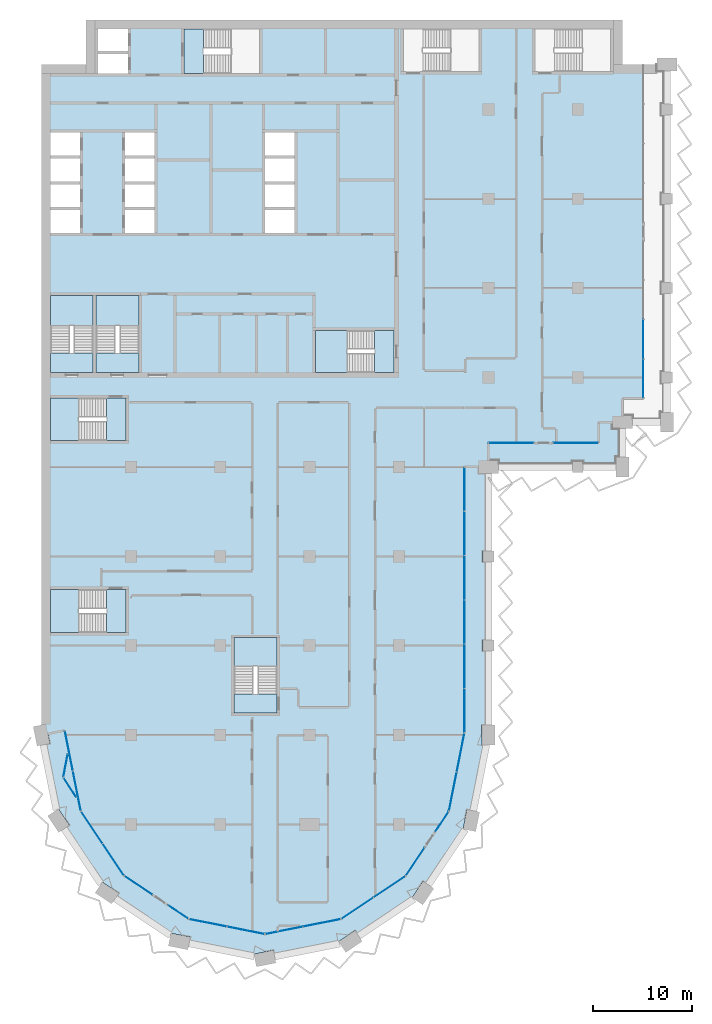
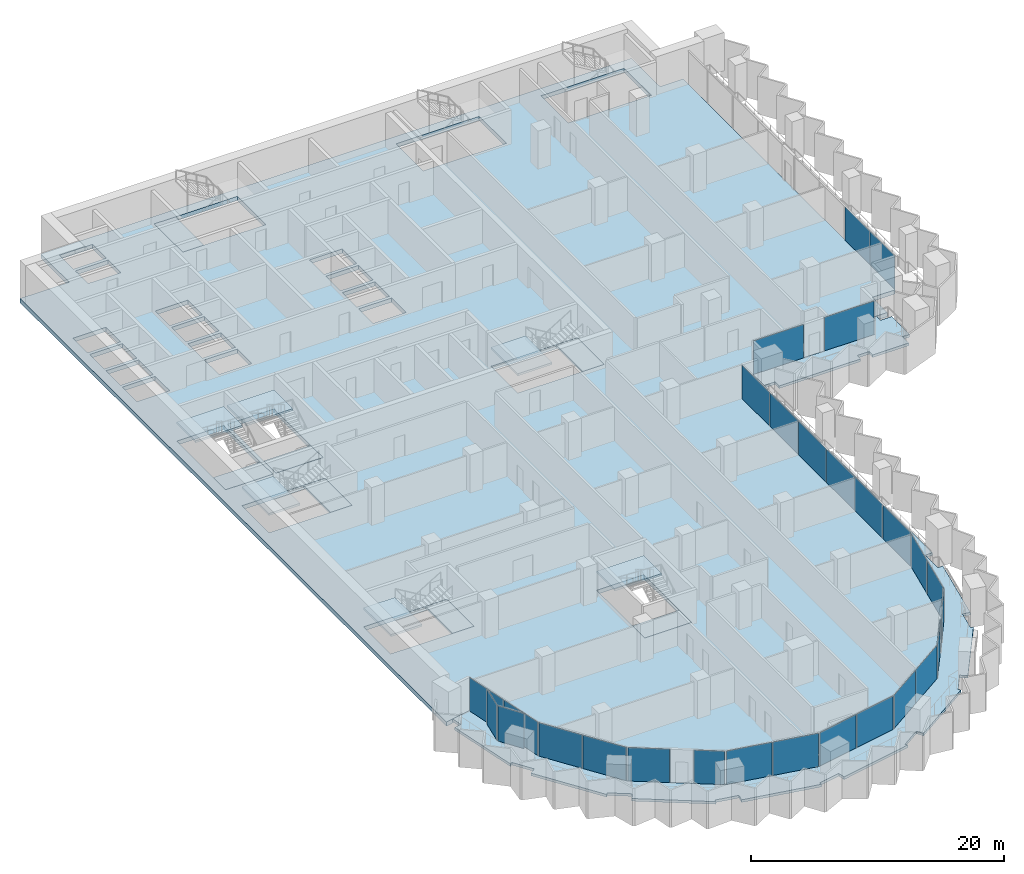
# One storey, part 8 of 23: 28 plates, 16 slabs, 22 elements without a shape of their own.
"""IFC4 building model written with IfcOpenShell, lengths in metres."""

from ifc_helpers import new_model, si_unit, direction, frame, origin, origin_2d, place, context, subcontext, project, spatial, polyline, rectangle, outline, extrude, material, layer, layer_set, type_object, element, aggregate, save


model = new_model("IFC4")

# Units and contexts
model_context = context("Model", 3, precision=1e-05, world=origin(), true_north=direction((0.0, 1.0)))
body_context = subcontext(model_context, "Body", "Model", "MODEL_VIEW")
ifc_project = project(units=[si_unit("LENGTHUNIT", "METRE"), si_unit("AREAUNIT", "SQUARE_METRE"), si_unit("VOLUMEUNIT", "CUBIC_METRE"), si_unit("PLANEANGLEUNIT", "RADIAN"), si_unit("MASSUNIT", "GRAM", prefix="KILO")], contexts=[model_context])

# Site, building, storey
site_placement = place(None, origin())
site = spatial("IfcSite", under=ifc_project, at=site_placement, CompositionType="ELEMENT")
building_placement = place(site_placement, origin())
building = spatial("IfcBuilding", under=site, at=building_placement, Name="Hunhe Ridgeline Campus", CompositionType="ELEMENT")
storey_placement = place(building_placement, frame((0.0, 0.0, 170.800048828125)))
storey = spatial("IfcBuildingStorey", under=building, at=storey_placement, Name="L43", CompositionType="ELEMENT", Elevation=170.800048828125)

# Curtain wall, plates
ifc_material_1 = material(Name="Aluminium 6063", Category="aluminium")
curtain_wall_type_1 = type_object("IfcCurtainWallType", Name="Curtain wall CW-5", PredefinedType="NOTDEFINED", material=ifc_material_1)
curtain_wall_1_placement = place(storey_placement, origin())
curtain_wall_1 = element("IfcCurtainWall", 1, at=curtain_wall_1_placement, inside=storey, type_object=curtain_wall_type_1, Name="Curtain wall 01", PredefinedType="NOTDEFINED")
ifc_material_2 = material(Name="Low-e laminated glass", Category="glass")
ifc_layer_1 = layer(ifc_material_2, 0.028076171875)
ifc_layer_set_1 = layer_set([ifc_layer_1], Name="Curtain wall glass panel 28 low-e laminated")
plate_type = type_object("IfcPlateType", Name="Curtain wall glass panel 28 low-e laminated", PredefinedType="CURTAIN_PANEL", material=ifc_layer_set_1)
plate_1_placement = place(storey_placement, frame((2.76318359375, 25.416015625, 0.0), z_axis=(0.0, 0.0, 1.0), x_axis=(0.195095347137, -0.980784280831, 0.0)))
plate_1 = element("IfcPlate", 2, at=plate_1_placement, type_object=plate_type, Name="CW-5 panel 1", PredefinedType="CURTAIN_PANEL", context=body_context, shape_type="SweptSolid", body=[
    extrude(rectangle(XDim=4.0458984375, YDim=0.028076171875, at=origin_2d()), origin(), (0.0, 0.0, 1.0), 3.22998046875),
])
plate_2_placement = place(storey_placement, frame((3.566162109375, 21.379150390625, 0.0), z_axis=(0.0, 0.0, 1.0), x_axis=(0.195095347137, -0.980784280831, 0.0)))
plate_2 = element("IfcPlate", 3, at=plate_2_placement, type_object=plate_type, Name="CW-5 panel 2", PredefinedType="CURTAIN_PANEL", context=body_context, shape_type="SweptSolid", body=[
    extrude(rectangle(XDim=4.0458984375, YDim=0.028076171875, at=origin_2d()), origin(), (0.0, 0.0, 1.0), 3.22998046875),
])
aggregate(curtain_wall_1, [plate_1, plate_2])

# Curtain wall, plate
curtain_wall_type_2 = type_object("IfcCurtainWallType", Name="Curtain wall CW-2", PredefinedType="NOTDEFINED", material=ifc_material_1)
curtain_wall_2_placement = place(storey_placement, origin())
curtain_wall_2 = element("IfcCurtainWall", 4, at=curtain_wall_2_placement, inside=storey, type_object=curtain_wall_type_2, Name="Curtain wall B01a", PredefinedType="NOTDEFINED")
plate_3_placement = place(storey_placement, frame((2.4248046875, 23.938720703125, 0.0), z_axis=(0.0, 0.0, 1.0), x_axis=(-0.183112559813, -0.983091954213, 0.0)))
plate_3 = element("IfcPlate", 5, at=plate_3_placement, type_object=plate_type, Name="CW-2 panel 1", PredefinedType="CURTAIN_PANEL", context=body_context, shape_type="SweptSolid", body=[
    extrude(rectangle(XDim=2.30322265625, YDim=0.028076171875, at=origin_2d()), origin(), (0.0, 0.0, 1.0), 3.389892578125),
])
aggregate(curtain_wall_2, [plate_3])

curtain_wall_3_placement = place(storey_placement, origin())
curtain_wall_3 = element("IfcCurtainWall", 6, at=curtain_wall_3_placement, inside=storey, type_object=curtain_wall_type_2, Name="Curtain wall B01b", PredefinedType="NOTDEFINED")
plate_4_placement = place(storey_placement, frame((2.86376953125, 21.73193359375, 0.0), z_axis=(0.0, 0.0, 1.0), x_axis=(0.545395474403, -0.838178845176, 0.0)))
plate_4 = element("IfcPlate", 7, at=plate_4_placement, type_object=plate_type, Name="CW-2 panel 1", PredefinedType="CURTAIN_PANEL", context=body_context, shape_type="SweptSolid", body=[
    extrude(rectangle(XDim=2.30322265625, YDim=0.028076171875, at=origin_2d()), origin(), (0.0, 0.0, 1.0), 3.389892578125),
])
aggregate(curtain_wall_3, [plate_4])

# Curtain wall, plates
curtain_wall_4_placement = place(storey_placement, origin())
curtain_wall_4 = element("IfcCurtainWall", 8, at=curtain_wall_4_placement, inside=storey, type_object=curtain_wall_type_1, Name="Curtain wall 02", PredefinedType="NOTDEFINED")
plate_5_placement = place(storey_placement, frame((5.07080078125, 17.685546875, 0.0), z_axis=(0.0, 0.0, 1.0), x_axis=(0.555570274596, -0.831469584522, 0.0)))
plate_5 = element("IfcPlate", 9, at=plate_5_placement, type_object=plate_type, Name="CW-5 panel 1", PredefinedType="CURTAIN_PANEL", context=body_context, shape_type="SweptSolid", body=[
    extrude(rectangle(XDim=3.806884765625, YDim=0.028076171875, at=origin_2d()), origin(), (0.0, 0.0, 1.0), 3.22998046875),
])
plate_6_placement = place(storey_placement, frame((7.224609375, 14.4619140625, 0.0), z_axis=(0.0, 0.0, 1.0), x_axis=(0.555570274596, -0.831469584522, 0.0)))
plate_6 = element("IfcPlate", 10, at=plate_6_placement, type_object=plate_type, Name="CW-5 panel 2", PredefinedType="CURTAIN_PANEL", context=body_context, shape_type="SweptSolid", body=[
    extrude(rectangle(XDim=3.806884765625, YDim=0.028076171875, at=origin_2d()), origin(), (0.0, 0.0, 1.0), 3.22998046875),
])
aggregate(curtain_wall_4, [plate_5, plate_6])

# Curtain wall, plate
curtain_wall_5_placement = place(storey_placement, origin())
curtain_wall_5 = element("IfcCurtainWall", 11, at=curtain_wall_5_placement, inside=storey, type_object=curtain_wall_type_1, Name="Curtain wall 03", PredefinedType="NOTDEFINED")
plate_7_placement = place(storey_placement, frame((9.76025390625, 11.859375, 0.0), z_axis=(0.0, 0.0, 1.0), x_axis=(0.831469595944, -0.555570257501, 0.0)))
plate_7 = element("IfcPlate", 12, at=plate_7_placement, type_object=plate_type, Name="CW-5 panel 1", PredefinedType="CURTAIN_PANEL", context=body_context, shape_type="SweptSolid", body=[
    extrude(rectangle(XDim=3.322021484375, YDim=0.028076171875, at=origin_2d()), origin(), (0.0, 0.0, 1.0), 3.22998046875),
])
aggregate(curtain_wall_5, [plate_7])

curtain_wall_6_placement = place(storey_placement, origin())
curtain_wall_6 = element("IfcCurtainWall", 13, at=curtain_wall_6_placement, inside=storey, type_object=curtain_wall_type_1, Name="Curtain wall 04", PredefinedType="NOTDEFINED")
plate_8_placement = place(storey_placement, frame((13.761474609375, 9.18603515625, 0.0), z_axis=(0.0, 0.0, 1.0), x_axis=(0.831469510353, -0.555570385598, 0.0)))
plate_8 = element("IfcPlate", 14, at=plate_8_placement, type_object=plate_type, Name="CW-5 panel 1", PredefinedType="CURTAIN_PANEL", context=body_context, shape_type="SweptSolid", body=[
    extrude(rectangle(XDim=2.421875, YDim=0.028076171875, at=origin_2d()), origin(), (0.0, 0.0, 1.0), 3.22998046875),
])
aggregate(curtain_wall_6, [plate_8])

# Curtain wall, plates
curtain_wall_7_placement = place(storey_placement, origin())
curtain_wall_7 = element("IfcCurtainWall", 15, at=curtain_wall_7_placement, inside=storey, type_object=curtain_wall_type_1, Name="Curtain wall 05", PredefinedType="NOTDEFINED")
plate_9_placement = place(storey_placement, frame((16.761962890625, 8.08935546875, 0.0), z_axis=(0.0, 0.0, 1.0), x_axis=(0.980785275326, -0.195090347539, 0.0)))
plate_9 = element("IfcPlate", 16, at=plate_9_placement, type_object=plate_type, Name="CW-5 panel 1", PredefinedType="CURTAIN_PANEL", context=body_context, shape_type="SweptSolid", body=[
    extrude(rectangle(XDim=3.806884765625, YDim=0.028076171875, at=origin_2d()), origin(), (0.0, 0.0, 1.0), 3.22998046875),
])
plate_10_placement = place(storey_placement, frame((20.564453125, 7.3330078125, 0.0), z_axis=(0.0, 0.0, 1.0), x_axis=(0.980785275326, -0.195090347539, 0.0)))
plate_10 = element("IfcPlate", 17, at=plate_10_placement, type_object=plate_type, Name="CW-5 panel 2", PredefinedType="CURTAIN_PANEL", context=body_context, shape_type="SweptSolid", body=[
    extrude(rectangle(XDim=3.806884765625, YDim=0.028076171875, at=origin_2d()), origin(), (0.0, 0.0, 1.0), 3.22998046875),
])
aggregate(curtain_wall_7, [plate_9, plate_10])

curtain_wall_8_placement = place(storey_placement, origin())
curtain_wall_8 = element("IfcCurtainWall", 18, at=curtain_wall_8_placement, inside=storey, type_object=curtain_wall_type_1, Name="Curtain wall 06", PredefinedType="NOTDEFINED")
plate_11_placement = place(storey_placement, frame((24.435546875, 7.3330078125, 0.0), z_axis=(0.0, 0.0, 1.0), x_axis=(0.980785275326, 0.195090347539, 0.0)))
plate_11 = element("IfcPlate", 19, at=plate_11_placement, type_object=plate_type, Name="CW-5 panel 1", PredefinedType="CURTAIN_PANEL", context=body_context, shape_type="SweptSolid", body=[
    extrude(rectangle(XDim=3.806884765625, YDim=0.028076171875, at=origin_2d()), origin(), (0.0, 0.0, 1.0), 3.22998046875),
])
plate_12_placement = place(storey_placement, frame((28.238037109375, 8.08935546875, 0.0), z_axis=(0.0, 0.0, 1.0), x_axis=(0.980785275326, 0.195090347539, 0.0)))
plate_12 = element("IfcPlate", 20, at=plate_12_placement, type_object=plate_type, Name="CW-5 panel 2", PredefinedType="CURTAIN_PANEL", context=body_context, shape_type="SweptSolid", body=[
    extrude(rectangle(XDim=3.806884765625, YDim=0.028076171875, at=origin_2d()), origin(), (0.0, 0.0, 1.0), 3.22998046875),
])
aggregate(curtain_wall_8, [plate_11, plate_12])

curtain_wall_9_placement = place(storey_placement, origin())
curtain_wall_9 = element("IfcCurtainWall", 21, at=curtain_wall_9_placement, inside=storey, type_object=curtain_wall_type_1, Name="Curtain wall 07", PredefinedType="NOTDEFINED")
plate_13_placement = place(storey_placement, frame((31.814453125, 9.57080078125, 0.0), z_axis=(0.0, 0.0, 1.0), x_axis=(0.831469584522, 0.555570274596, 0.0)))
plate_13 = element("IfcPlate", 22, at=plate_13_placement, type_object=plate_type, Name="CW-5 panel 1", PredefinedType="CURTAIN_PANEL", context=body_context, shape_type="SweptSolid", body=[
    extrude(rectangle(XDim=3.806884765625, YDim=0.028076171875, at=origin_2d()), origin(), (0.0, 0.0, 1.0), 3.22998046875),
])
plate_14_placement = place(storey_placement, frame((35.0380859375, 11.724609375, 0.0), z_axis=(0.0, 0.0, 1.0), x_axis=(0.831469584522, 0.555570274596, 0.0)))
plate_14 = element("IfcPlate", 23, at=plate_14_placement, type_object=plate_type, Name="CW-5 panel 2", PredefinedType="CURTAIN_PANEL", context=body_context, shape_type="SweptSolid", body=[
    extrude(rectangle(XDim=3.806884765625, YDim=0.028076171875, at=origin_2d()), origin(), (0.0, 0.0, 1.0), 3.22998046875),
])
aggregate(curtain_wall_9, [plate_13, plate_14])

# Curtain wall, plate
curtain_wall_10_placement = place(storey_placement, origin())
curtain_wall_10 = element("IfcCurtainWall", 24, at=curtain_wall_10_placement, inside=storey, type_object=curtain_wall_type_1, Name="Curtain wall 08", PredefinedType="NOTDEFINED")
plate_15_placement = place(storey_placement, frame((37.640625, 14.26025390625, 0.0), z_axis=(0.0, 0.0, 1.0), x_axis=(0.555570257501, 0.831469595944, 0.0)))
plate_15 = element("IfcPlate", 25, at=plate_15_placement, type_object=plate_type, Name="CW-5 panel 1", PredefinedType="CURTAIN_PANEL", context=body_context, shape_type="SweptSolid", body=[
    extrude(rectangle(XDim=3.322021484375, YDim=0.028076171875, at=origin_2d()), origin(), (0.0, 0.0, 1.0), 3.22998046875),
])
aggregate(curtain_wall_10, [plate_15])

curtain_wall_11_placement = place(storey_placement, origin())
curtain_wall_11 = element("IfcCurtainWall", 26, at=curtain_wall_11_placement, inside=storey, type_object=curtain_wall_type_1, Name="Curtain wall 09", PredefinedType="NOTDEFINED")
plate_16_placement = place(storey_placement, frame((40.31396484375, 18.261474609375, 0.0), z_axis=(0.0, 0.0, 1.0), x_axis=(0.555570385598, 0.831469510353, 0.0)))
plate_16 = element("IfcPlate", 27, at=plate_16_placement, type_object=plate_type, Name="CW-5 panel 1", PredefinedType="CURTAIN_PANEL", context=body_context, shape_type="SweptSolid", body=[
    extrude(rectangle(XDim=2.421875, YDim=0.028076171875, at=origin_2d()), origin(), (0.0, 0.0, 1.0), 3.22998046875),
])
aggregate(curtain_wall_11, [plate_16])

# Curtain wall, plates
curtain_wall_12_placement = place(storey_placement, origin())
curtain_wall_12 = element("IfcCurtainWall", 28, at=curtain_wall_12_placement, inside=storey, type_object=curtain_wall_type_1, Name="Curtain wall 10", PredefinedType="NOTDEFINED")
plate_17_placement = place(storey_placement, frame((41.42236328125, 21.321044921875, 0.0), z_axis=(0.0, 0.0, 1.0), x_axis=(0.195090299215, 0.980785284939, 0.0)))
plate_17 = element("IfcPlate", 29, at=plate_17_placement, type_object=plate_type, Name="CW-5 panel 1", PredefinedType="CURTAIN_PANEL", context=body_context, shape_type="SweptSolid", body=[
    extrude(rectangle(XDim=3.927490234375, YDim=0.028076171875, at=origin_2d()), origin(), (0.0, 0.0, 1.0), 3.22998046875),
])
plate_18_placement = place(storey_placement, frame((42.2021484375, 25.24169921875, 0.0), z_axis=(0.0, 0.0, 1.0), x_axis=(0.195090299215, 0.980785284939, 0.0)))
plate_18 = element("IfcPlate", 30, at=plate_18_placement, type_object=plate_type, Name="CW-5 panel 2", PredefinedType="CURTAIN_PANEL", context=body_context, shape_type="SweptSolid", body=[
    extrude(rectangle(XDim=3.927490234375, YDim=0.028076171875, at=origin_2d()), origin(), (0.0, 0.0, 1.0), 3.22998046875),
])
aggregate(curtain_wall_12, [plate_17, plate_18])

curtain_wall_type_3 = type_object("IfcCurtainWallType", Name="Curtain wall CW-1", PredefinedType="NOTDEFINED", material=ifc_material_1)
curtain_wall_13_placement = place(storey_placement, origin())
curtain_wall_13 = element("IfcCurtainWall", 31, at=curtain_wall_13_placement, inside=storey, type_object=curtain_wall_type_3, Name="Curtain wall 11", PredefinedType="NOTDEFINED")
plate_19_placement = place(storey_placement, frame((42.59912109375, 29.481689453125, 0.0), z_axis=(0.0, 0.0, 1.0), x_axis=(4.408911e-06, 0.99999999999, 0.0)))
plate_19 = element("IfcPlate", 32, at=plate_19_placement, type_object=plate_type, Name="CW-1 panel 1", PredefinedType="CURTAIN_PANEL", context=body_context, shape_type="SweptSolid", body=[
    extrude(rectangle(XDim=4.37060546875, YDim=0.028076171875, at=origin_2d()), origin(), (0.0, 0.0, 1.0), 3.239990234375),
])
plate_20_placement = place(storey_placement, frame((42.59912109375, 33.927490234375, 0.0), z_axis=(0.0, 0.0, 1.0), x_axis=(4.408911e-06, 0.99999999999, 0.0)))
plate_20 = element("IfcPlate", 33, at=plate_20_placement, type_object=plate_type, Name="CW-1 panel 2", PredefinedType="CURTAIN_PANEL", context=body_context, shape_type="SweptSolid", body=[
    extrude(rectangle(XDim=4.400634765625, YDim=0.028076171875, at=origin_2d()), origin(), (0.0, 0.0, 1.0), 3.239990234375),
])
plate_21_placement = place(storey_placement, frame((42.59912109375, 38.38818359375, 0.0), z_axis=(0.0, 0.0, 1.0), x_axis=(4.408911e-06, 0.99999999999, 0.0)))
plate_21 = element("IfcPlate", 34, at=plate_21_placement, type_object=plate_type, Name="CW-1 panel 3", PredefinedType="CURTAIN_PANEL", context=body_context, shape_type="SweptSolid", body=[
    extrude(rectangle(XDim=4.400634765625, YDim=0.028076171875, at=origin_2d()), origin(), (0.0, 0.0, 1.0), 3.239990234375),
])
plate_22_placement = place(storey_placement, frame((42.59912109375, 42.848876953125, 0.0), z_axis=(0.0, 0.0, 1.0), x_axis=(4.408911e-06, 0.99999999999, 0.0)))
plate_22 = element("IfcPlate", 35, at=plate_22_placement, type_object=plate_type, Name="CW-1 panel 4", PredefinedType="CURTAIN_PANEL", context=body_context, shape_type="SweptSolid", body=[
    extrude(rectangle(XDim=4.400634765625, YDim=0.028076171875, at=origin_2d()), origin(), (0.0, 0.0, 1.0), 3.239990234375),
])
plate_23_placement = place(storey_placement, frame((42.59912109375, 47.3095703125, 0.0), z_axis=(0.0, 0.0, 1.0), x_axis=(4.408911e-06, 0.99999999999, 0.0)))
plate_23 = element("IfcPlate", 36, at=plate_23_placement, type_object=plate_type, Name="CW-1 panel 5", PredefinedType="CURTAIN_PANEL", context=body_context, shape_type="SweptSolid", body=[
    extrude(rectangle(XDim=4.400634765625, YDim=0.028076171875, at=origin_2d()), origin(), (0.0, 0.0, 1.0), 3.239990234375),
])
plate_24_placement = place(storey_placement, frame((42.59912109375, 51.755126953125, 0.0), z_axis=(0.0, 0.0, 1.0), x_axis=(4.408911e-06, 0.99999999999, 0.0)))
plate_24 = element("IfcPlate", 37, at=plate_24_placement, type_object=plate_type, Name="CW-1 panel 6", PredefinedType="CURTAIN_PANEL", context=body_context, shape_type="SweptSolid", body=[
    extrude(rectangle(XDim=4.37060546875, YDim=0.028076171875, at=origin_2d()), origin(), (0.0, 0.0, 1.0), 3.239990234375),
])
aggregate(curtain_wall_13, [plate_19, plate_20, plate_21, plate_22, plate_23, plate_24])

# Curtain wall, plate
curtain_wall_14_placement = place(storey_placement, origin())
curtain_wall_14 = element("IfcCurtainWall", 38, at=curtain_wall_14_placement, inside=storey, type_object=curtain_wall_type_3, Name="Curtain wall 12", PredefinedType="NOTDEFINED")
plate_25_placement = place(storey_placement, frame((47.32470703125, 56.40087890625, 0.0), z_axis=(0.0, 0.0, 1.0), x_axis=(0.999999999999, 1.72058e-06, 0.0)))
plate_25 = element("IfcPlate", 39, at=plate_25_placement, type_object=plate_type, Name="CW-1 panel 1", PredefinedType="CURTAIN_PANEL", context=body_context, shape_type="SweptSolid", body=[
    extrude(rectangle(XDim=4.529541015625, YDim=0.028076171875, at=origin_2d()), origin(), (0.0, 0.0, 1.0), 3.239990234375),
])
aggregate(curtain_wall_14, [plate_25])

curtain_wall_15_placement = place(storey_placement, origin())
curtain_wall_15 = element("IfcCurtainWall", 40, at=curtain_wall_15_placement, inside=storey, type_object=curtain_wall_type_3, Name="Curtain wall 13", PredefinedType="NOTDEFINED")
plate_26_placement = place(storey_placement, frame((53.774169921875, 56.40087890625, 0.0), z_axis=(0.0, 0.0, 1.0), x_axis=(0.999999999999, 1.72058e-06, 0.0)))
plate_26 = element("IfcPlate", 41, at=plate_26_placement, type_object=plate_type, Name="CW-1 panel 1", PredefinedType="CURTAIN_PANEL", context=body_context, shape_type="SweptSolid", body=[
    extrude(rectangle(XDim=4.529541015625, YDim=0.028076171875, at=origin_2d()), origin(), (0.0, 0.0, 1.0), 3.239990234375),
])
aggregate(curtain_wall_15, [plate_26])

# Curtain wall, plates
curtain_wall_16_placement = place(storey_placement, origin())
curtain_wall_16 = element("IfcCurtainWall", 42, at=curtain_wall_16_placement, inside=storey, type_object=curtain_wall_type_3, Name="Curtain wall 14", PredefinedType="NOTDEFINED")
plate_27_placement = place(storey_placement, frame((60.59912109375, 62.9033203125, 0.0), z_axis=(0.0, 0.0, 1.0), x_axis=(0.0, 1.0, 0.0)))
plate_27 = element("IfcPlate", 43, at=plate_27_placement, type_object=plate_type, Name="CW-1 panel 1", PredefinedType="CURTAIN_PANEL", context=body_context, shape_type="SweptSolid", body=[
    extrude(rectangle(XDim=3.884765625, YDim=0.028076171875, at=origin_2d()), origin(), (0.0, 0.0, 1.0), 3.239990234375),
])
plate_28_placement = place(storey_placement, frame((60.59912109375, 66.86328125, 0.0), z_axis=(0.0, 0.0, 1.0), x_axis=(0.0, 1.0, 0.0)))
plate_28 = element("IfcPlate", 44, at=plate_28_placement, type_object=plate_type, Name="CW-1 panel 2", PredefinedType="CURTAIN_PANEL", context=body_context, shape_type="SweptSolid", body=[
    extrude(rectangle(XDim=3.914794921875, YDim=0.028076171875, at=origin_2d()), origin(), (0.0, 0.0, 1.0), 3.239990234375),
])
aggregate(curtain_wall_16, [plate_27, plate_28])

# Slabs
ifc_material_3 = material(Name="Concrete C40", Category="concrete")
ifc_layer_2 = layer(ifc_material_3, 0.39990234375)
ifc_layer_set_2 = layer_set([ifc_layer_2], Name="Floor slab 400 Concrete C40")
slab_type_1 = type_object("IfcSlabType", Name="Floor slab 400 Concrete C40", PredefinedType="FLOOR", material=ifc_layer_set_2)
slab_1_placement = place(storey_placement, frame((0.0, 0.0, -0.400146484375)))
element("IfcSlab", 45, at=slab_1_placement, inside=storey, type_object=slab_type_1, Name="Floor slab L43 1", PredefinedType="FLOOR", context=body_context, shape_type="SweptSolid", body=[
    extrude(outline(polyline([(2.354736328125, 27.46875), (3.974365234375, 19.326416015625), (8.321044921875, 12.821044921875), (14.826416015625, 8.474365234375), (22.5, 6.947998046875), (30.173583984375, 8.474365234375), (36.678955078125, 12.821044921875), (41.025634765625, 19.326416015625), (42.59912109375, 27.236572265625), (42.59912109375, 54.00048828125), (44.9990234375, 54.0009765625), (44.999755859375, 56.40087890625), (56.09912109375, 56.40087890625), (56.099365234375, 58.500732421875), (58.4990234375, 58.5009765625), (58.499267578125, 60.900634765625), (60.59912109375, 60.90087890625), (60.59912109375, 94.5), (58.5, 94.5), (58.5, 99.0), (4.5, 99.0), (4.5, 94.5), (0.0, 94.5), (0.0, 27.0009765625), (2.354736328125, 27.46875)]), holes=[polyline([(49.699951171875, 93.800048828125), (57.300048828125, 93.800048828125), (57.300048828125, 98.10009765625), (49.699951171875, 98.10009765625), (49.699951171875, 93.800048828125)]), polyline([(44.050048828125, 93.800048828125), (44.050048828125, 98.10009765625), (36.449951171875, 98.10009765625), (36.449951171875, 93.800048828125), (44.050048828125, 93.800048828125)]), polyline([(35.5, 67.75), (27.60009765625, 67.75), (27.60009765625, 63.5), (35.5, 63.5), (35.5, 67.75)]), polyline([(25.5, 82.75), (25.5, 85.050048828125), (22.5, 85.050048828125), (22.5, 82.75), (25.5, 82.75)]), polyline([(25.5, 82.449951171875), (22.5, 82.449951171875), (22.5, 80.14990234375), (25.5, 80.14990234375), (25.5, 82.449951171875)]), polyline([(22.5, 85.35009765625), (25.5, 85.35009765625), (25.5, 87.64990234375), (22.5, 87.64990234375), (22.5, 85.35009765625)]), polyline([(22.5, 79.85009765625), (22.5, 77.550048828125), (25.5, 77.550048828125), (25.5, 79.85009765625), (22.5, 79.85009765625)]), polyline([(19.39990234375, 29.199951171875), (23.699951171875, 29.199951171875), (23.699951171875, 36.800048828125), (19.39990234375, 36.800048828125), (19.39990234375, 29.199951171875)]), polyline([(21.949951171875, 93.60009765625), (21.949951171875, 98.10009765625), (14.35009765625, 98.10009765625), (14.35009765625, 93.60009765625), (21.949951171875, 93.60009765625)]), polyline([(8.39990234375, 79.85009765625), (8.39990234375, 77.550048828125), (11.39990234375, 77.550048828125), (11.39990234375, 79.85009765625), (8.39990234375, 79.85009765625)]), polyline([(8.39990234375, 85.35009765625), (11.39990234375, 85.35009765625), (11.39990234375, 87.64990234375), (8.39990234375, 87.64990234375), (8.39990234375, 85.35009765625)]), polyline([(11.39990234375, 82.449951171875), (8.39990234375, 82.449951171875), (8.39990234375, 80.14990234375), (11.39990234375, 80.14990234375), (11.39990234375, 82.449951171875)]), polyline([(11.39990234375, 82.75), (11.39990234375, 85.050048828125), (8.39990234375, 85.050048828125), (8.39990234375, 82.75), (11.39990234375, 82.75)]), polyline([(5.5, 71.25), (5.5, 63.5), (9.800048828125, 63.5), (9.800048828125, 71.25), (5.5, 71.25)]), polyline([(8.699951171875, 98.10009765625), (5.699951171875, 98.10009765625), (5.699951171875, 95.89990234375), (8.699951171875, 95.89990234375), (8.699951171875, 98.10009765625)]), polyline([(5.699951171875, 95.60009765625), (5.699951171875, 93.60009765625), (8.699951171875, 93.60009765625), (8.699951171875, 95.60009765625), (5.699951171875, 95.60009765625)]), polyline([(0.89990234375, 60.949951171875), (0.89990234375, 56.64990234375), (8.5, 56.64990234375), (8.5, 60.949951171875), (0.89990234375, 60.949951171875)]), polyline([(0.89990234375, 37.35009765625), (8.5, 37.35009765625), (8.5, 41.64990234375), (0.89990234375, 41.64990234375), (0.89990234375, 37.35009765625)]), polyline([(0.89990234375, 63.5), (5.199951171875, 63.5), (5.199951171875, 71.25), (0.89990234375, 71.25), (0.89990234375, 63.5)]), polyline([(3.89990234375, 82.75), (3.89990234375, 85.050048828125), (0.89990234375, 85.050048828125), (0.89990234375, 82.75), (3.89990234375, 82.75)]), polyline([(3.89990234375, 82.449951171875), (0.89990234375, 82.449951171875), (0.89990234375, 80.14990234375), (3.89990234375, 80.14990234375), (3.89990234375, 82.449951171875)]), polyline([(0.89990234375, 85.35009765625), (3.89990234375, 85.35009765625), (3.89990234375, 87.64990234375), (0.89990234375, 87.64990234375), (0.89990234375, 85.35009765625)]), polyline([(0.89990234375, 79.85009765625), (0.89990234375, 77.550048828125), (3.89990234375, 77.550048828125), (3.89990234375, 79.85009765625), (0.89990234375, 79.85009765625)])]), origin(), (0.0, 0.0, 1.0), 0.400146484375),
])
ifc_layer_3 = layer(ifc_material_3, 0.25)
ifc_layer_set_3 = layer_set([ifc_layer_3], Name="Loggia slab 250 Concrete C40")
slab_type_2 = type_object("IfcSlabType", Name="Loggia slab 250 Concrete C40", PredefinedType="FLOOR", material=ifc_layer_set_3)
slab_2_placement = place(storey_placement, frame((0.0, 0.0, -0.25)))
element("IfcSlab", 46, at=slab_2_placement, inside=storey, type_object=slab_type_2, Name="Loggia slab 1", PredefinedType="FLOOR", context=body_context, shape_type="SweptSolid", body=[
    extrude(outline(polyline([(30.173828125, 8.473388671875), (22.5, 6.947021484375), (14.826171875, 8.473388671875), (8.3203125, 12.8203125), (3.973388671875, 19.326171875), (2.35400390625, 27.46826171875), (0.637451171875, 27.126708984375), (0.83251953125, 26.14599609375), (0.195068359375, 26.019287109375), (1.50146484375, 19.451171875), (1.697509765625, 19.582275390625), (2.808837890625, 17.919189453125), (2.268310546875, 17.55810546875), (5.98876953125, 11.989990234375), (6.11962890625, 12.18603515625), (7.78271484375, 11.074951171875), (7.421630859375, 10.534423828125), (12.98974609375, 6.81396484375), (13.03564453125, 7.04541015625), (14.997314453125, 6.655029296875), (14.870361328125, 6.017578125), (21.4384765625, 4.711181640625), (21.392333984375, 4.9423828125), (23.35400390625, 5.33251953125), (23.480712890625, 4.695068359375), (30.048828125, 6.00146484375), (29.917724609375, 6.197509765625), (31.580810546875, 7.308837890625), (31.94189453125, 6.768310546875), (37.510009765625, 10.48876953125), (37.31396484375, 10.61962890625), (38.425048828125, 12.28271484375), (38.965576171875, 11.921630859375), (42.68603515625, 17.48974609375), (42.45458984375, 17.53564453125), (42.844970703125, 19.497314453125), (43.482421875, 19.370361328125), (44.801025390625, 26.0), (44.35009765625, 26.0), (44.35009765625, 28.0), (45.0, 28.0), (45.0, 35.449951171875), (44.449951171875, 35.449951171875), (44.449951171875, 36.550048828125), (45.0, 36.550048828125), (45.0, 44.449951171875), (44.449951171875, 44.449951171875), (44.449951171875, 45.550048828125), (45.0, 45.550048828125), (45.0, 53.35009765625), (44.0, 53.35009765625), (44.0, 54.0), (42.60009765625, 54.0), (42.60009765625, 27.236328125), (41.026611328125, 19.326171875), (36.6796875, 12.8203125), (30.173828125, 8.473388671875)])), origin(), (0.0, 0.0, 1.0), 0.25),
])
slab_3_placement = place(storey_placement, frame((0.0, 0.0, -0.25)))
element("IfcSlab", 47, at=slab_3_placement, inside=storey, type_object=slab_type_2, Name="Loggia slab 2", PredefinedType="FLOOR", context=body_context, shape_type="SweptSolid", body=[
    extrude(outline(polyline([(45.0, 54.64990234375), (46.0, 54.64990234375), (46.0, 54.0), (53.449951171875, 54.0), (53.449951171875, 54.550048828125), (54.550048828125, 54.550048828125), (54.550048828125, 54.0), (57.85009765625, 54.0), (57.85009765625, 55.0), (58.5, 55.0), (58.5, 57.85009765625), (57.5, 57.85009765625), (57.5, 58.5), (56.10009765625, 58.5), (56.10009765625, 56.39990234375), (45.0, 56.39990234375), (45.0, 54.64990234375)])), origin(), (0.0, 0.0, 1.0), 0.25),
])
ifc_layer_4 = layer(ifc_material_3, 0.199951171875)
ifc_layer_set_4 = layer_set([ifc_layer_4], Name="Reinforced concrete stair landing 200 Concrete C40")
slab_type_3 = type_object("IfcSlabType", Name="Reinforced concrete stair landing 200 Concrete C40", PredefinedType="LANDING", material=ifc_layer_set_4)
slab_4_placement = place(storey_placement, frame((0.0, 0.0, -0.199951171875)))
element("IfcSlab", 48, at=slab_4_placement, inside=storey, type_object=slab_type_3, Name="L43 stair S1 floor landing", PredefinedType="LANDING", context=body_context, shape_type="SweptSolid", body=[
    extrude(outline(polyline([(14.35009765625, 93.60009765625), (16.300048828125, 93.60009765625), (16.300048828125, 98.10009765625), (14.35009765625, 98.10009765625), (14.35009765625, 93.60009765625)])), origin(), (0.0, 0.0, 1.0), 0.199951171875),
])

# Stair, slab
stair_type = type_object("IfcStairType", Name="Reinforced concrete dog-leg stair 1950 Concrete C40", PredefinedType="HALF_TURN_STAIR", material=ifc_material_3)
stair_1_placement = place(storey_placement, origin())
stair_1 = element("IfcStair", 49, at=stair_1_placement, inside=storey, type_object=stair_type, Name="L43 S2", PredefinedType="HALF_TURN_STAIR")
slab_5_placement = place(storey_placement, frame((0.0, 0.0, 1.64990234375)))
slab_5 = element("IfcSlab", 50, at=slab_5_placement, type_object=slab_type_3, Name="ST2 landing 1", PredefinedType="LANDING", context=body_context, shape_type="SweptSolid", body=[
    extrude(outline(polyline([(30.75, 67.75), (27.60009765625, 67.75), (27.60009765625, 63.5), (30.75, 63.5), (30.75, 67.75)])), origin(), (0.0, 0.0, 1.0), 0.199951171875),
])
aggregate(stair_1, [slab_5])

# Slab
slab_6_placement = place(storey_placement, frame((0.0, 0.0, -0.199951171875)))
element("IfcSlab", 51, at=slab_6_placement, inside=storey, type_object=slab_type_3, Name="L43 stair S2 floor landing", PredefinedType="LANDING", context=body_context, shape_type="SweptSolid", body=[
    extrude(outline(polyline([(35.5, 67.75), (33.550048828125, 67.75), (33.550048828125, 63.5), (35.5, 63.5), (35.5, 67.75)])), origin(), (0.0, 0.0, 1.0), 0.199951171875),
])

# Stair, slab
stair_2_placement = place(storey_placement, origin())
stair_2 = element("IfcStair", 52, at=stair_2_placement, inside=storey, type_object=stair_type, Name="L43 S3", PredefinedType="HALF_TURN_STAIR")
slab_7_placement = place(storey_placement, frame((0.0, 0.0, 1.64990234375)))
slab_7 = element("IfcSlab", 53, at=slab_7_placement, type_object=slab_type_3, Name="ST3 landing 1", PredefinedType="LANDING", context=body_context, shape_type="SweptSolid", body=[
    extrude(outline(polyline([(5.199951171875, 68.25), (5.199951171875, 71.25), (0.89990234375, 71.25), (0.89990234375, 68.25), (5.199951171875, 68.25)])), origin(), (0.0, 0.0, 1.0), 0.199951171875),
])
aggregate(stair_2, [slab_7])

# Slab
slab_8_placement = place(storey_placement, frame((0.0, 0.0, -0.199951171875)))
element("IfcSlab", 54, at=slab_8_placement, inside=storey, type_object=slab_type_3, Name="L43 stair S3 floor landing", PredefinedType="LANDING", context=body_context, shape_type="SweptSolid", body=[
    extrude(outline(polyline([(5.199951171875, 63.5), (5.199951171875, 65.449951171875), (0.89990234375, 65.449951171875), (0.89990234375, 63.5), (5.199951171875, 63.5)])), origin(), (0.0, 0.0, 1.0), 0.199951171875),
])

# Stair, slab
stair_3_placement = place(storey_placement, origin())
stair_3 = element("IfcStair", 55, at=stair_3_placement, inside=storey, type_object=stair_type, Name="L43 S4", PredefinedType="HALF_TURN_STAIR")
slab_9_placement = place(storey_placement, frame((0.0, 0.0, 1.64990234375)))
slab_9 = element("IfcSlab", 56, at=slab_9_placement, type_object=slab_type_3, Name="ST4 landing 1", PredefinedType="LANDING", context=body_context, shape_type="SweptSolid", body=[
    extrude(outline(polyline([(9.800048828125, 68.25), (9.800048828125, 71.25), (5.5, 71.25), (5.5, 68.25), (9.800048828125, 68.25)])), origin(), (0.0, 0.0, 1.0), 0.199951171875),
])
aggregate(stair_3, [slab_9])

# Slab
slab_10_placement = place(storey_placement, frame((0.0, 0.0, -0.199951171875)))
element("IfcSlab", 57, at=slab_10_placement, inside=storey, type_object=slab_type_3, Name="L43 stair S4 floor landing", PredefinedType="LANDING", context=body_context, shape_type="SweptSolid", body=[
    extrude(outline(polyline([(9.800048828125, 63.5), (9.800048828125, 65.449951171875), (5.5, 65.449951171875), (5.5, 63.5), (9.800048828125, 63.5)])), origin(), (0.0, 0.0, 1.0), 0.199951171875),
])

# Stair, slab
stair_4_placement = place(storey_placement, origin())
stair_4 = element("IfcStair", 58, at=stair_4_placement, inside=storey, type_object=stair_type, Name="L43 W3", PredefinedType="HALF_TURN_STAIR")
slab_11_placement = place(storey_placement, frame((0.0, 0.0, 1.64990234375)))
slab_11 = element("IfcSlab", 59, at=slab_11_placement, type_object=slab_type_3, Name="ST9 landing 1", PredefinedType="LANDING", context=body_context, shape_type="SweptSolid", body=[
    extrude(outline(polyline([(23.699951171875, 33.949951171875), (23.699951171875, 36.800048828125), (19.39990234375, 36.800048828125), (19.39990234375, 33.949951171875), (23.699951171875, 33.949951171875)])), origin(), (0.0, 0.0, 1.0), 0.199951171875),
])
aggregate(stair_4, [slab_11])

# Slab
slab_12_placement = place(storey_placement, frame((0.0, 0.0, -0.199951171875)))
element("IfcSlab", 60, at=slab_12_placement, inside=storey, type_object=slab_type_3, Name="L43 stair W3 floor landing", PredefinedType="LANDING", context=body_context, shape_type="SweptSolid", body=[
    extrude(outline(polyline([(23.699951171875, 29.199951171875), (23.699951171875, 31.14990234375), (19.39990234375, 31.14990234375), (19.39990234375, 29.199951171875), (23.699951171875, 29.199951171875)])), origin(), (0.0, 0.0, 1.0), 0.199951171875),
])

# Stair, slab
stair_5_placement = place(storey_placement, origin())
stair_5 = element("IfcStair", 61, at=stair_5_placement, inside=storey, type_object=stair_type, Name="L43 W1", PredefinedType="HALF_TURN_STAIR")
slab_13_placement = place(storey_placement, frame((0.0, 0.0, 1.64990234375)))
slab_13 = element("IfcSlab", 62, at=slab_13_placement, type_object=slab_type_3, Name="ST11 landing 1", PredefinedType="LANDING", context=body_context, shape_type="SweptSolid", body=[
    extrude(outline(polyline([(3.75, 41.64990234375), (0.89990234375, 41.64990234375), (0.89990234375, 37.35009765625), (3.75, 37.35009765625), (3.75, 41.64990234375)])), origin(), (0.0, 0.0, 1.0), 0.199951171875),
])
aggregate(stair_5, [slab_13])

# Slab
slab_14_placement = place(storey_placement, frame((0.0, 0.0, -0.199951171875)))
element("IfcSlab", 63, at=slab_14_placement, inside=storey, type_object=slab_type_3, Name="L43 stair W1 floor landing", PredefinedType="LANDING", context=body_context, shape_type="SweptSolid", body=[
    extrude(outline(polyline([(8.5, 41.64990234375), (6.550048828125, 41.64990234375), (6.550048828125, 37.35009765625), (8.5, 37.35009765625), (8.5, 41.64990234375)])), origin(), (0.0, 0.0, 1.0), 0.199951171875),
])

# Stair, slab
stair_6_placement = place(storey_placement, origin())
stair_6 = element("IfcStair", 64, at=stair_6_placement, inside=storey, type_object=stair_type, Name="L43 W2", PredefinedType="HALF_TURN_STAIR")
slab_15_placement = place(storey_placement, frame((0.0, 0.0, 1.64990234375)))
slab_15 = element("IfcSlab", 65, at=slab_15_placement, type_object=slab_type_3, Name="ST12 landing 1", PredefinedType="LANDING", context=body_context, shape_type="SweptSolid", body=[
    extrude(outline(polyline([(3.75, 60.949951171875), (0.89990234375, 60.949951171875), (0.89990234375, 56.64990234375), (3.75, 56.64990234375), (3.75, 60.949951171875)])), origin(), (0.0, 0.0, 1.0), 0.199951171875),
])
aggregate(stair_6, [slab_15])

# Slab
slab_16_placement = place(storey_placement, frame((0.0, 0.0, -0.199951171875)))
element("IfcSlab", 66, at=slab_16_placement, inside=storey, type_object=slab_type_3, Name="L43 stair W2 floor landing", PredefinedType="LANDING", context=body_context, shape_type="SweptSolid", body=[
    extrude(outline(polyline([(8.5, 60.949951171875), (6.550048828125, 60.949951171875), (6.550048828125, 56.64990234375), (8.5, 56.64990234375), (8.5, 60.949951171875)])), origin(), (0.0, 0.0, 1.0), 0.199951171875),
])

save(model, "model.ifc")
